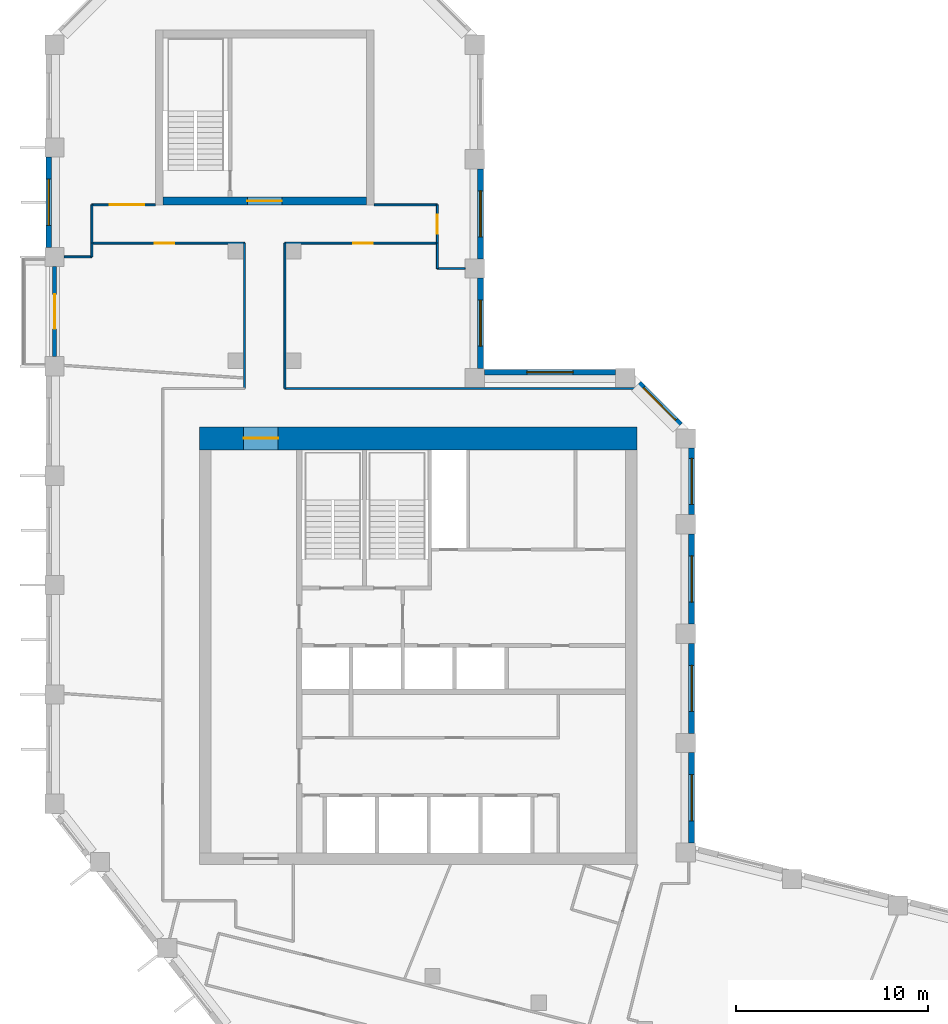
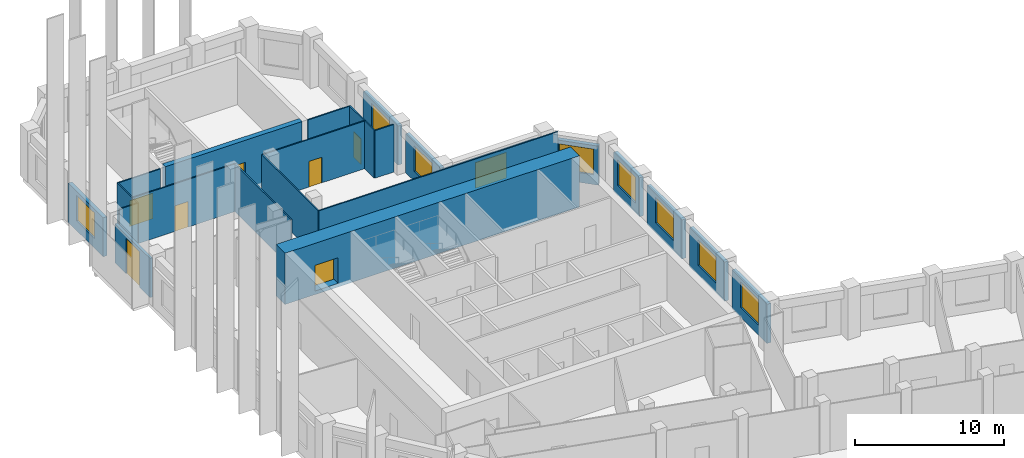
# One storey, part 6 of 9: 25 walls, 9 windows, 7 doors, 16 openings.
"""IFC4 building model written with IfcOpenShell, lengths in metres."""

from ifc_helpers import new_model, si_unit, direction, frame, frame_2d, origin, place, context, subcontext, project, spatial, rectangle, extrude, material, layer, layer_set, type_object, element, fill, save


model = new_model("IFC4")

# Units and contexts
model_context = context("Model", 3, precision=1e-05, world=origin(), true_north=direction((0.0, 1.0)))
body_context = subcontext(model_context, "Body", "Model", "MODEL_VIEW")
ifc_project = project(units=[si_unit("LENGTHUNIT", "METRE"), si_unit("AREAUNIT", "SQUARE_METRE"), si_unit("VOLUMEUNIT", "CUBIC_METRE"), si_unit("PLANEANGLEUNIT", "RADIAN"), si_unit("MASSUNIT", "GRAM", prefix="KILO")], contexts=[model_context])

# Site, building, storey
site_placement = place(None, origin())
site = spatial("IfcSite", under=ifc_project, at=site_placement, CompositionType="ELEMENT")
building_placement = place(site_placement, origin())
building = spatial("IfcBuilding", under=site, at=building_placement, Name="Meshkara Civic Tower", CompositionType="ELEMENT")
storey_placement = place(building_placement, frame((0.0, 0.0, 306.60009765625)))
storey = spatial("IfcBuildingStorey", under=building, at=storey_placement, Name="L70", CompositionType="ELEMENT", Elevation=306.60009765625)

# Wall, opening, door
ifc_material_1 = material(Name="Concrete C60", Category="concrete")
ifc_layer_1 = layer(ifc_material_1, 1.199951171875)
ifc_layer_set_1 = layer_set([ifc_layer_1], Name="Core ring wall 1200 C60")
wall_type_1 = type_object("IfcWallType", Name="Core ring wall 1200 C60", PredefinedType="SHEAR", material=ifc_layer_set_1)
wall_1_placement = place(storey_placement, frame((8.0, 36.300048828125, -0.300048828125), z_axis=(0.0, 0.0, 1.0), x_axis=(1.0, 0.0, 0.0)))
wall_1 = element("IfcWall", 1, at=wall_1_placement, inside=storey, type_object=wall_type_1, Name="L70-C002", PredefinedType="SHEAR", context=body_context, shape_type="SweptSolid", body=[
    extrude(rectangle(XDim=22.800048828125, YDim=1.199951171875, at=frame_2d((11.39990234375, 0.0))), origin(), (0.0, 0.0, 1.0), 4.199951171875),
])
opening_1_placement = place(wall_1_placement, frame((2.300048828125, 0.0, 0.300048828125)))
opening_1 = element("IfcOpeningElement", 2, at=opening_1_placement, cuts=wall_1, Name="Opening L70-K022", PredefinedType="OPENING", context=body_context, shape_type="SweptSolid", body=[
    extrude(rectangle(XDim=1.800048828125, YDim=2.10009765625, at=frame_2d((0.89990234375, 1.050048828125))), frame((0.0, 0.60986328125, 0.0), z_axis=(0.0, -1.0, 0.0), x_axis=(1.0, 0.0, 0.0)), (0.0, 0.0, 1.0), 1.219970703125),
])
ifc_material_2 = material(Name="Fire-rated door leaf in steel frame", Category="steel")
door_type_1 = type_object("IfcDoorType", Name="Core double door 1800 EI 60", OperationType="DOUBLE_DOOR_SINGLE_SWING", PredefinedType="DOOR", material=ifc_material_2)
door_1_placement = place(opening_1_placement, origin())
door_1 = element("IfcDoor", 3, at=door_1_placement, inside=storey, type_object=door_type_1, Name="L70-K022", OperationType="DOUBLE_DOOR_SINGLE_SWING", OverallHeight=2.10009765625, OverallWidth=1.800048828125, PredefinedType="DOOR", context=body_context, shape_type="SweptSolid", body=[
    extrude(rectangle(XDim=1.800048828125, YDim=2.10009765625, at=frame_2d((0.89990234375, 1.050048828125))), frame((0.0, 0.02490234375, 0.0), z_axis=(0.0, -1.0, 0.0), x_axis=(1.0, 0.0, 0.0)), (0.0, 0.0, 1.0), 0.050048828125),
])
fill(opening_1, door_1)

ifc_material_3 = material(Name="Corridor wall 100")
ifc_layer_2 = layer(ifc_material_3, 0.10009765625)
ifc_layer_set_2 = layer_set([ifc_layer_2], Name="Corridor wall 100")
wall_type_2 = type_object("IfcWallType", Name="Corridor wall 100", PredefinedType="PARTITIONING", material=ifc_layer_set_2)
wall_2_placement = place(storey_placement, frame((2.39990234375, 46.469970703125, 0.0), z_axis=(0.0, 0.0, 1.0), x_axis=(1.0, 0.0, 0.0)))
wall_2 = element("IfcWall", 4, at=wall_2_placement, inside=storey, type_object=wall_type_2, Name="L70-W001", PredefinedType="PARTITIONING", context=body_context, shape_type="SweptSolid", body=[
    extrude(rectangle(XDim=7.9501953125, YDim=0.10009765625, at=frame_2d((3.97509765625, 0.0))), origin(), (0.0, 0.0, 1.0), 3.89990234375),
])
opening_2_placement = place(wall_2_placement, frame((3.280029296875, 0.0, 0.0)))
opening_2 = element("IfcOpeningElement", 5, at=opening_2_placement, cuts=wall_2, Name="Opening L70-D014", PredefinedType="OPENING", context=body_context, shape_type="SweptSolid", body=[
    extrude(rectangle(XDim=1.0, YDim=2.10009765625, at=frame_2d((0.5, 1.050048828125))), frame((0.0, 0.06005859375, 0.0), z_axis=(0.0, -1.0, 0.0), x_axis=(1.0, 0.0, 0.0)), (0.0, 0.0, 1.0), 0.1201171875),
])
ifc_material_4 = material(Name="Door 1000 x 2100")
door_type_2 = type_object("IfcDoorType", Name="Door 1000 x 2100", OperationType="SINGLE_SWING_LEFT", PredefinedType="DOOR", material=ifc_material_4)
door_2_placement = place(opening_2_placement, origin())
door_2 = element("IfcDoor", 6, at=door_2_placement, inside=storey, type_object=door_type_2, Name="L70-D014", OperationType="SINGLE_SWING_RIGHT", OverallHeight=2.10009765625, OverallWidth=1.0, PredefinedType="DOOR", context=body_context, shape_type="SweptSolid", body=[
    extrude(rectangle(XDim=1.0, YDim=2.10009765625, at=frame_2d((0.5, 1.050048828125))), frame((0.0, 0.02490234375, 0.0), z_axis=(0.0, -1.0, 0.0), x_axis=(1.0, 0.0, 0.0)), (0.0, 0.0, 1.0), 0.050048828125),
])
fill(opening_2, door_2)

# Wall
wall_3_placement = place(storey_placement, frame((2.39990234375, 48.469970703125, 0.0), z_axis=(0.0, 0.0, 1.0), x_axis=(0.0, -1.0, 0.0)))
element("IfcWall", 7, at=wall_3_placement, inside=storey, type_object=wall_type_2, Name="L70-W002", PredefinedType="PARTITIONING", context=body_context, shape_type="SweptSolid", body=[
    extrude(rectangle(XDim=2.0, YDim=0.10009765625, at=frame_2d((1.0, 0.0))), origin(), (0.0, 0.0, 1.0), 3.89990234375),
])

# Wall, opening, door
wall_4_placement = place(storey_placement, frame((5.699951171875, 48.469970703125, 0.0), z_axis=(0.0, 0.0, 1.0), x_axis=(-1.0, 0.0, 0.0)))
wall_4 = element("IfcWall", 8, at=wall_4_placement, inside=storey, type_object=wall_type_2, Name="L70-W003", PredefinedType="PARTITIONING", context=body_context, shape_type="SweptSolid", body=[
    extrude(rectangle(XDim=3.300048828125, YDim=0.10009765625, at=frame_2d((1.64990234375, 0.0))), origin(), (0.0, 0.0, 1.0), 3.89990234375),
])
opening_3_placement = place(wall_4_placement, frame((0.580078125, 0.0, 0.0)))
opening_3 = element("IfcOpeningElement", 9, at=opening_3_placement, cuts=wall_4, Name="Opening L70-D017", PredefinedType="OPENING", context=body_context, shape_type="SweptSolid", body=[
    extrude(rectangle(XDim=1.800048828125, YDim=2.10009765625, at=frame_2d((0.89990234375, 1.050048828125))), frame((0.0, 0.06005859375, 0.0), z_axis=(0.0, -1.0, 0.0), x_axis=(1.0, 0.0, 0.0)), (0.0, 0.0, 1.0), 0.1201171875),
])
ifc_material_5 = material(Name="Door pair 1800 x 2100")
door_type_3 = type_object("IfcDoorType", Name="Door pair 1800 x 2100", OperationType="SINGLE_SWING_LEFT", PredefinedType="DOOR", material=ifc_material_5)
door_3_placement = place(opening_3_placement, origin())
door_3 = element("IfcDoor", 10, at=door_3_placement, inside=storey, type_object=door_type_3, Name="L70-D017", OperationType="DOUBLE_DOOR_SINGLE_SWING", OverallHeight=2.10009765625, OverallWidth=1.800048828125, PredefinedType="DOOR", context=body_context, shape_type="SweptSolid", body=[
    extrude(rectangle(XDim=1.800048828125, YDim=2.10009765625, at=frame_2d((0.89990234375, 1.050048828125))), frame((0.0, 0.02490234375, 0.0), z_axis=(0.0, -1.0, 0.0), x_axis=(1.0, 0.0, 0.0)), (0.0, 0.0, 1.0), 0.050048828125),
])
fill(opening_3, door_3)

# Walls
for number, where, z_axis, x_axis, name in (
    (11, (10.35009765625, 46.469970703125, 0.0), (0.0, 0.0, 1.0), (0.0, -1.0, 0.0), "L70-W012"),
    (12, (12.449951171875, 38.89990234375, 0.0), (0.0, 0.0, 1.0), (0.0, 1.0, 0.0), "L70-W013"),
):
    element("IfcWall", number, at=place(storey_placement, frame(where, z_axis=z_axis, x_axis=x_axis)), inside=storey, type_object=wall_type_2, Name=name, PredefinedType="PARTITIONING", context=body_context, shape_type="SweptSolid", body=[
        extrude(rectangle(XDim=7.570068359375, YDim=0.10009765625, at=frame_2d((3.78515625, 0.0))), origin(), (0.0, 0.0, 1.0), 3.89990234375),
    ])

# Wall, opening, door
wall_5_placement = place(storey_placement, frame((12.449951171875, 46.469970703125, 0.0), z_axis=(0.0, 0.0, 1.0), x_axis=(1.0, 0.0, 0.0)))
wall_5 = element("IfcWall", 13, at=wall_5_placement, inside=storey, type_object=wall_type_2, Name="L70-W014", PredefinedType="PARTITIONING", context=body_context, shape_type="SweptSolid", body=[
    extrude(rectangle(XDim=7.949951171875, YDim=0.10009765625, at=frame_2d((3.97509765625, 0.0))), origin(), (0.0, 0.0, 1.0), 3.89990234375),
])
opening_4_placement = place(wall_5_placement, frame((3.580078125, 0.0, 0.0)))
opening_4 = element("IfcOpeningElement", 14, at=opening_4_placement, cuts=wall_5, Name="Opening L70-D015", PredefinedType="OPENING", context=body_context, shape_type="SweptSolid", body=[
    extrude(rectangle(XDim=1.0, YDim=2.10009765625, at=frame_2d((0.5, 1.050048828125))), frame((0.0, 0.06005859375, 0.0), z_axis=(0.0, -1.0, 0.0), x_axis=(1.0, 0.0, 0.0)), (0.0, 0.0, 1.0), 0.1201171875),
])
door_4_placement = place(opening_4_placement, origin())
door_4 = element("IfcDoor", 15, at=door_4_placement, inside=storey, type_object=door_type_2, Name="L70-D015", OperationType="SINGLE_SWING_LEFT", OverallHeight=2.10009765625, OverallWidth=1.0, PredefinedType="DOOR", context=body_context, shape_type="SweptSolid", body=[
    extrude(rectangle(XDim=1.0, YDim=2.10009765625, at=frame_2d((0.5, 1.050048828125))), frame((0.0, 0.02490234375, 0.0), z_axis=(0.0, -1.0, 0.0), x_axis=(1.0, 0.0, 0.0)), (0.0, 0.0, 1.0), 0.050048828125),
])
fill(opening_4, door_4)

wall_6_placement = place(storey_placement, frame((20.39990234375, 46.469970703125, 0.0), z_axis=(0.0, 0.0, 1.0), x_axis=(0.0, 1.0, 0.0)))
wall_6 = element("IfcWall", 16, at=wall_6_placement, inside=storey, type_object=wall_type_2, Name="L70-W017", PredefinedType="PARTITIONING", context=body_context, shape_type="SweptSolid", body=[
    extrude(rectangle(XDim=2.0, YDim=0.10009765625, at=frame_2d((1.0, 0.0))), origin(), (0.0, 0.0, 1.0), 3.89990234375),
])
opening_5_placement = place(wall_6_placement, frame((0.47998046875, 0.0, 0.0)))
opening_5 = element("IfcOpeningElement", 17, at=opening_5_placement, cuts=wall_6, Name="Opening L70-D016", PredefinedType="OPENING", context=body_context, shape_type="SweptSolid", body=[
    extrude(rectangle(XDim=1.0, YDim=2.10009765625, at=frame_2d((0.5, 1.050048828125))), frame((0.0, 0.06005859375, 0.0), z_axis=(0.0, -1.0, 0.0), x_axis=(1.0, 0.0, 0.0)), (0.0, 0.0, 1.0), 0.1201171875),
])
door_5_placement = place(opening_5_placement, origin())
door_5 = element("IfcDoor", 18, at=door_5_placement, inside=storey, type_object=door_type_2, Name="L70-D016", OperationType="SINGLE_SWING_RIGHT", OverallHeight=2.10009765625, OverallWidth=1.0, PredefinedType="DOOR", context=body_context, shape_type="SweptSolid", body=[
    extrude(rectangle(XDim=1.0, YDim=2.10009765625, at=frame_2d((0.5, 1.050048828125))), frame((0.0, 0.02490234375, 0.0), z_axis=(0.0, -1.0, 0.0), x_axis=(1.0, 0.0, 0.0)), (0.0, 0.0, 1.0), 0.050048828125),
])
fill(opening_5, door_5)

# Walls
wall_7_placement = place(storey_placement, frame((20.39990234375, 48.469970703125, 0.0), z_axis=(0.0, 0.0, 1.0), x_axis=(-1.0, 0.0, 0.0)))
element("IfcWall", 19, at=wall_7_placement, inside=storey, type_object=wall_type_2, Name="L70-W018", PredefinedType="PARTITIONING", context=body_context, shape_type="SweptSolid", body=[
    extrude(rectangle(XDim=3.2998046875, YDim=0.10009765625, at=frame_2d((1.64990234375, 0.0))), origin(), (0.0, 0.0, 1.0), 3.89990234375),
])
wall_8_placement = place(storey_placement, frame((30.9560546875, 38.89990234375, 0.0), z_axis=(0.0, 0.0, 1.0), x_axis=(-1.0, 0.0, 0.0)))
element("IfcWall", 20, at=wall_8_placement, inside=storey, type_object=wall_type_2, Name="L70-W024", PredefinedType="PARTITIONING", context=body_context, shape_type="SweptSolid", body=[
    extrude(rectangle(XDim=18.506103515625, YDim=0.10009765625, at=frame_2d((9.2529296875, 0.0))), origin(), (0.0, 0.0, 1.0), 3.89990234375),
])

# Wall, opening, window
ifc_material_6 = material(Name="Insulated infill panel with bronze anodised aluminium cladding", Category="aluminium")
ifc_layer_3 = layer(ifc_material_6, 0.300048828125)
ifc_layer_set_3 = layer_set([ifc_layer_3], Name="EXTERNAL INFILL WALL 300")
wall_type_3 = type_object("IfcWallType", Name="EXTERNAL INFILL WALL 300", PredefinedType="SOLIDWALL", material=ifc_layer_set_3)
wall_9_placement = place(storey_placement, frame((33.64990234375, 15.218994140625, 0.0), z_axis=(0.0, 0.0, 1.0), x_axis=(0.0, 1.0, 0.0)))
wall_9 = element("IfcWall", 21, at=wall_9_placement, inside=storey, type_object=wall_type_3, Name="External wall", PredefinedType="SOLIDWALL", context=body_context, shape_type="SweptSolid", body=[
    extrude(rectangle(XDim=4.699951171875, YDim=0.300048828125, at=frame_2d((2.35009765625, 0.0))), origin(), (0.0, 0.0, 1.0), 3.199951171875),
])
opening_6_placement = place(wall_9_placement, frame((1.14990234375, 0.0, 0.800048828125)))
opening_6 = element("IfcOpeningElement", 22, at=opening_6_placement, cuts=wall_9, Name="Opening W7", PredefinedType="OPENING", context=body_context, shape_type="SweptSolid", body=[
    extrude(rectangle(XDim=2.39990234375, YDim=2.10009765625, at=frame_2d((1.199951171875, 1.050048828125))), frame((0.0, 0.159912109375, 0.0), z_axis=(0.0, -1.0, 0.0), x_axis=(1.0, 0.0, 0.0)), (0.0, 0.0, 1.0), 0.320068359375),
])
ifc_material_7 = material(Name="Tinted double glazing", Category="glass")
window_type = type_object("IfcWindowType", Name="WINDOW 2400x2100", PartitioningType="DOUBLE_PANEL_VERTICAL", PredefinedType="WINDOW", material=ifc_material_7)
window_1_placement = place(opening_6_placement, origin())
window_1 = element("IfcWindow", 23, at=window_1_placement, inside=storey, type_object=window_type, Name="Window", OverallHeight=2.10009765625, OverallWidth=2.39990234375, PartitioningType="DOUBLE_PANEL_VERTICAL", PredefinedType="WINDOW", context=body_context, shape_type="SweptSolid", body=[
    extrude(rectangle(XDim=2.39990234375, YDim=2.10009765625, at=frame_2d((1.199951171875, 1.050048828125))), frame((0.0, 0.030029296875, 0.0), z_axis=(0.0, -1.0, 0.0), x_axis=(1.0, 0.0, 0.0)), (0.0, 0.0, 1.0), 0.06005859375),
])
fill(opening_6, window_1)

wall_10_placement = place(storey_placement, frame((33.64990234375, 20.9189453125, 0.0), z_axis=(0.0, 0.0, 1.0), x_axis=(0.0, 1.0, 0.0)))
wall_10 = element("IfcWall", 24, at=wall_10_placement, inside=storey, type_object=wall_type_3, Name="External wall", PredefinedType="SOLIDWALL", context=body_context, shape_type="SweptSolid", body=[
    extrude(rectangle(XDim=4.699951171875, YDim=0.300048828125, at=frame_2d((2.35009765625, 0.0))), origin(), (0.0, 0.0, 1.0), 3.199951171875),
])
opening_7_placement = place(wall_10_placement, frame((1.14990234375, 0.0, 0.800048828125)))
opening_7 = element("IfcOpeningElement", 25, at=opening_7_placement, cuts=wall_10, Name="Opening W7", PredefinedType="OPENING", context=body_context, shape_type="SweptSolid", body=[
    extrude(rectangle(XDim=2.39990234375, YDim=2.10009765625, at=frame_2d((1.199951171875, 1.050048828125))), frame((0.0, 0.159912109375, 0.0), z_axis=(0.0, -1.0, 0.0), x_axis=(1.0, 0.0, 0.0)), (0.0, 0.0, 1.0), 0.320068359375),
])
window_2_placement = place(opening_7_placement, origin())
window_2 = element("IfcWindow", 26, at=window_2_placement, inside=storey, type_object=window_type, Name="Window", OverallHeight=2.10009765625, OverallWidth=2.39990234375, PartitioningType="DOUBLE_PANEL_VERTICAL", PredefinedType="WINDOW", context=body_context, shape_type="SweptSolid", body=[
    extrude(rectangle(XDim=2.39990234375, YDim=2.10009765625, at=frame_2d((1.199951171875, 1.050048828125))), frame((0.0, 0.030029296875, 0.0), z_axis=(0.0, -1.0, 0.0), x_axis=(1.0, 0.0, 0.0)), (0.0, 0.0, 1.0), 0.06005859375),
])
fill(opening_7, window_2)

wall_11_placement = place(storey_placement, frame((33.64990234375, 26.618896484375, 0.0), z_axis=(0.0, 0.0, 1.0), x_axis=(0.0, 1.0, 0.0)))
wall_11 = element("IfcWall", 27, at=wall_11_placement, inside=storey, type_object=wall_type_3, Name="External wall", PredefinedType="SOLIDWALL", context=body_context, shape_type="SweptSolid", body=[
    extrude(rectangle(XDim=4.7001953125, YDim=0.300048828125, at=frame_2d((2.35009765625, 0.0))), origin(), (0.0, 0.0, 1.0), 3.199951171875),
])
opening_8_placement = place(wall_11_placement, frame((1.14990234375, 0.0, 0.800048828125)))
opening_8 = element("IfcOpeningElement", 28, at=opening_8_placement, cuts=wall_11, Name="Opening W7", PredefinedType="OPENING", context=body_context, shape_type="SweptSolid", body=[
    extrude(rectangle(XDim=2.39990234375, YDim=2.10009765625, at=frame_2d((1.199951171875, 1.050048828125))), frame((0.0, 0.159912109375, 0.0), z_axis=(0.0, -1.0, 0.0), x_axis=(1.0, 0.0, 0.0)), (0.0, 0.0, 1.0), 0.320068359375),
])
window_3_placement = place(opening_8_placement, origin())
window_3 = element("IfcWindow", 29, at=window_3_placement, inside=storey, type_object=window_type, Name="Window", OverallHeight=2.10009765625, OverallWidth=2.39990234375, PartitioningType="DOUBLE_PANEL_VERTICAL", PredefinedType="WINDOW", context=body_context, shape_type="SweptSolid", body=[
    extrude(rectangle(XDim=2.39990234375, YDim=2.10009765625, at=frame_2d((1.199951171875, 1.050048828125))), frame((0.0, 0.030029296875, 0.0), z_axis=(0.0, -1.0, 0.0), x_axis=(1.0, 0.0, 0.0)), (0.0, 0.0, 1.0), 0.06005859375),
])
fill(opening_8, window_3)

wall_12_placement = place(storey_placement, frame((33.64990234375, 32.319091796875, 0.0), z_axis=(0.0, 0.0, 1.0), x_axis=(0.0, 1.0, 0.0)))
wall_12 = element("IfcWall", 30, at=wall_12_placement, inside=storey, type_object=wall_type_3, Name="External wall", PredefinedType="SOLIDWALL", context=body_context, shape_type="SweptSolid", body=[
    extrude(rectangle(XDim=3.474853515625, YDim=0.300048828125, at=frame_2d((1.7373046875, 0.0))), origin(), (0.0, 0.0, 1.0), 3.199951171875),
])
opening_9_placement = place(wall_12_placement, frame((0.5380859375, 0.0, 0.800048828125)))
opening_9 = element("IfcOpeningElement", 31, at=opening_9_placement, cuts=wall_12, Name="Opening W7", PredefinedType="OPENING", context=body_context, shape_type="SweptSolid", body=[
    extrude(rectangle(XDim=2.39990234375, YDim=2.10009765625, at=frame_2d((1.199951171875, 1.050048828125))), frame((0.0, 0.159912109375, 0.0), z_axis=(0.0, -1.0, 0.0), x_axis=(1.0, 0.0, 0.0)), (0.0, 0.0, 1.0), 0.320068359375),
])
window_4_placement = place(opening_9_placement, origin())
window_4 = element("IfcWindow", 32, at=window_4_placement, inside=storey, type_object=window_type, Name="Window", OverallHeight=2.10009765625, OverallWidth=2.39990234375, PartitioningType="DOUBLE_PANEL_VERTICAL", PredefinedType="WINDOW", context=body_context, shape_type="SweptSolid", body=[
    extrude(rectangle(XDim=2.39990234375, YDim=2.10009765625, at=frame_2d((1.199951171875, 1.050048828125))), frame((0.0, 0.030029296875, 0.0), z_axis=(0.0, -1.0, 0.0), x_axis=(1.0, 0.0, 0.0)), (0.0, 0.0, 1.0), 0.06005859375),
])
fill(opening_9, window_4)

wall_13_placement = place(storey_placement, frame((33.06201171875, 37.006103515625, 0.0), z_axis=(0.0, 0.0, 1.0), x_axis=(-0.707106781187, 0.707106781187, 0.0)))
wall_13 = element("IfcWall", 33, at=wall_13_placement, inside=storey, type_object=wall_type_3, Name="External wall", PredefinedType="SOLIDWALL", context=body_context, shape_type="SweptSolid", body=[
    extrude(rectangle(XDim=3.049072265625, YDim=0.300048828125, at=frame_2d((1.5244140625, 0.0))), origin(), (0.0, 0.0, 1.0), 3.199951171875),
])
opening_10_placement = place(wall_13_placement, frame((0.324951171875, 0.0, 0.800048828125)))
opening_10 = element("IfcOpeningElement", 34, at=opening_10_placement, cuts=wall_13, Name="Opening W7", PredefinedType="OPENING", context=body_context, shape_type="SweptSolid", body=[
    extrude(rectangle(XDim=2.39990234375, YDim=2.10009765625, at=frame_2d((1.199951171875, 1.050048828125))), frame((0.0, 0.159912109375, 0.0), z_axis=(0.0, -1.0, 0.0), x_axis=(1.0, 0.0, 0.0)), (0.0, 0.0, 1.0), 0.320068359375),
])
window_5_placement = place(opening_10_placement, origin())
window_5 = element("IfcWindow", 35, at=window_5_placement, inside=storey, type_object=window_type, Name="Window", OverallHeight=2.10009765625, OverallWidth=2.39990234375, PartitioningType="DOUBLE_PANEL_VERTICAL", PredefinedType="WINDOW", context=body_context, shape_type="SweptSolid", body=[
    extrude(rectangle(XDim=2.39990234375, YDim=2.10009765625, at=frame_2d((1.199951171875, 1.050048828125))), frame((0.0, 0.030029296875, 0.0), z_axis=(0.0, -1.0, 0.0), x_axis=(1.0, 0.0, 0.0)), (0.0, 0.0, 1.0), 0.06005859375),
])
fill(opening_10, window_5)

wall_14_placement = place(storey_placement, frame((29.694091796875, 39.75, 0.0), z_axis=(0.0, 0.0, 1.0), x_axis=(-1.0, 0.0, 0.0)))
wall_14 = element("IfcWall", 36, at=wall_14_placement, inside=storey, type_object=wall_type_3, Name="External wall", PredefinedType="SOLIDWALL", context=body_context, shape_type="SweptSolid", body=[
    extrude(rectangle(XDim=6.843994140625, YDim=0.300048828125, at=frame_2d((3.421875, 0.0))), origin(), (0.0, 0.0, 1.0), 3.199951171875),
])
opening_11_placement = place(wall_14_placement, frame((2.221923828125, 0.0, 0.800048828125)))
opening_11 = element("IfcOpeningElement", 37, at=opening_11_placement, cuts=wall_14, Name="Opening W7", PredefinedType="OPENING", context=body_context, shape_type="SweptSolid", body=[
    extrude(rectangle(XDim=2.39990234375, YDim=2.10009765625, at=frame_2d((1.199951171875, 1.050048828125))), frame((0.0, 0.159912109375, 0.0), z_axis=(0.0, -1.0, 0.0), x_axis=(1.0, 0.0, 0.0)), (0.0, 0.0, 1.0), 0.320068359375),
])
window_6_placement = place(opening_11_placement, origin())
window_6 = element("IfcWindow", 38, at=window_6_placement, inside=storey, type_object=window_type, Name="Window", OverallHeight=2.10009765625, OverallWidth=2.39990234375, PartitioningType="DOUBLE_PANEL_VERTICAL", PredefinedType="WINDOW", context=body_context, shape_type="SweptSolid", body=[
    extrude(rectangle(XDim=2.39990234375, YDim=2.10009765625, at=frame_2d((1.199951171875, 1.050048828125))), frame((0.0, 0.030029296875, 0.0), z_axis=(0.0, -1.0, 0.0), x_axis=(1.0, 0.0, 0.0)), (0.0, 0.0, 1.0), 0.06005859375),
])
fill(opening_11, window_6)

wall_15_placement = place(storey_placement, frame((22.64990234375, 39.949951171875, 0.0), z_axis=(0.0, 0.0, 1.0), x_axis=(0.0, 1.0, 0.0)))
wall_15 = element("IfcWall", 39, at=wall_15_placement, inside=storey, type_object=wall_type_3, Name="External wall", PredefinedType="SOLIDWALL", context=body_context, shape_type="SweptSolid", body=[
    extrude(rectangle(XDim=4.699951171875, YDim=0.300048828125, at=frame_2d((2.35009765625, 0.0))), origin(), (0.0, 0.0, 1.0), 3.199951171875),
])
opening_12_placement = place(wall_15_placement, frame((1.14990234375, 0.0, 0.800048828125)))
opening_12 = element("IfcOpeningElement", 40, at=opening_12_placement, cuts=wall_15, Name="Opening W7", PredefinedType="OPENING", context=body_context, shape_type="SweptSolid", body=[
    extrude(rectangle(XDim=2.39990234375, YDim=2.10009765625, at=frame_2d((1.199951171875, 1.050048828125))), frame((0.0, 0.159912109375, 0.0), z_axis=(0.0, -1.0, 0.0), x_axis=(1.0, 0.0, 0.0)), (0.0, 0.0, 1.0), 0.320068359375),
])
window_7_placement = place(opening_12_placement, origin())
window_7 = element("IfcWindow", 41, at=window_7_placement, inside=storey, type_object=window_type, Name="Window", OverallHeight=2.10009765625, OverallWidth=2.39990234375, PartitioningType="DOUBLE_PANEL_VERTICAL", PredefinedType="WINDOW", context=body_context, shape_type="SweptSolid", body=[
    extrude(rectangle(XDim=2.39990234375, YDim=2.10009765625, at=frame_2d((1.199951171875, 1.050048828125))), frame((0.0, 0.030029296875, 0.0), z_axis=(0.0, -1.0, 0.0), x_axis=(1.0, 0.0, 0.0)), (0.0, 0.0, 1.0), 0.06005859375),
])
fill(opening_12, window_7)

wall_16_placement = place(storey_placement, frame((22.64990234375, 45.64990234375, 0.0), z_axis=(0.0, 0.0, 1.0), x_axis=(0.0, 1.0, 0.0)))
wall_16 = element("IfcWall", 42, at=wall_16_placement, inside=storey, type_object=wall_type_3, Name="External wall", PredefinedType="SOLIDWALL", context=body_context, shape_type="SweptSolid", body=[
    extrude(rectangle(XDim=4.7001953125, YDim=0.300048828125, at=frame_2d((2.35009765625, 0.0))), origin(), (0.0, 0.0, 1.0), 3.199951171875),
])
opening_13_placement = place(wall_16_placement, frame((1.14990234375, 0.0, 0.800048828125)))
opening_13 = element("IfcOpeningElement", 43, at=opening_13_placement, cuts=wall_16, Name="Opening W7", PredefinedType="OPENING", context=body_context, shape_type="SweptSolid", body=[
    extrude(rectangle(XDim=2.39990234375, YDim=2.10009765625, at=frame_2d((1.199951171875, 1.050048828125))), frame((0.0, 0.159912109375, 0.0), z_axis=(0.0, -1.0, 0.0), x_axis=(1.0, 0.0, 0.0)), (0.0, 0.0, 1.0), 0.320068359375),
])
window_8_placement = place(opening_13_placement, origin())
window_8 = element("IfcWindow", 44, at=window_8_placement, inside=storey, type_object=window_type, Name="Window", OverallHeight=2.10009765625, OverallWidth=2.39990234375, PartitioningType="DOUBLE_PANEL_VERTICAL", PredefinedType="WINDOW", context=body_context, shape_type="SweptSolid", body=[
    extrude(rectangle(XDim=2.39990234375, YDim=2.10009765625, at=frame_2d((1.199951171875, 1.050048828125))), frame((0.0, 0.030029296875, 0.0), z_axis=(0.0, -1.0, 0.0), x_axis=(1.0, 0.0, 0.0)), (0.0, 0.0, 1.0), 0.06005859375),
])
fill(opening_13, window_8)

wall_17_placement = place(storey_placement, frame((0.14990234375, 50.955078125, 0.0), z_axis=(0.0, 0.0, 1.0), x_axis=(0.0, -1.0, 0.0)))
wall_17 = element("IfcWall", 45, at=wall_17_placement, inside=storey, type_object=wall_type_3, Name="External wall", PredefinedType="SOLIDWALL", context=body_context, shape_type="SweptSolid", body=[
    extrude(rectangle(XDim=4.7001953125, YDim=0.300048828125, at=frame_2d((2.35009765625, 0.0))), origin(), (0.0, 0.0, 1.0), 3.199951171875),
])
opening_14_placement = place(wall_17_placement, frame((1.14990234375, 0.0, 0.800048828125)))
opening_14 = element("IfcOpeningElement", 46, at=opening_14_placement, cuts=wall_17, Name="Opening W7", PredefinedType="OPENING", context=body_context, shape_type="SweptSolid", body=[
    extrude(rectangle(XDim=2.39990234375, YDim=2.10009765625, at=frame_2d((1.199951171875, 1.050048828125))), frame((0.0, 0.159912109375, 0.0), z_axis=(0.0, -1.0, 0.0), x_axis=(1.0, 0.0, 0.0)), (0.0, 0.0, 1.0), 0.320068359375),
])
window_9_placement = place(opening_14_placement, origin())
window_9 = element("IfcWindow", 47, at=window_9_placement, inside=storey, type_object=window_type, Name="Window", OverallHeight=2.10009765625, OverallWidth=2.39990234375, PartitioningType="DOUBLE_PANEL_VERTICAL", PredefinedType="WINDOW", context=body_context, shape_type="SweptSolid", body=[
    extrude(rectangle(XDim=2.39990234375, YDim=2.10009765625, at=frame_2d((1.199951171875, 1.050048828125))), frame((0.0, 0.030029296875, 0.0), z_axis=(0.0, -1.0, 0.0), x_axis=(1.0, 0.0, 0.0)), (0.0, 0.0, 1.0), 0.06005859375),
])
fill(opening_14, window_9)

# Wall, opening, door
ifc_material_8 = material(Name="Concrete C60", Category="concrete")
ifc_layer_4 = layer(ifc_material_8, 0.39990234375)
ifc_layer_set_4 = layer_set([ifc_layer_4], Name="End core ring wall 400 C60")
wall_type_4 = type_object("IfcWallType", Name="End core ring wall 400 C60", PredefinedType="SHEAR", material=ifc_layer_set_4)
wall_18_placement = place(storey_placement, frame((6.10009765625, 48.669921875, -0.300048828125), z_axis=(0.0, 0.0, 1.0), x_axis=(1.0, 0.0, 0.0)))
wall_18 = element("IfcWall", 48, at=wall_18_placement, inside=storey, type_object=wall_type_4, Name="L70-C029", PredefinedType="SHEAR", context=body_context, shape_type="SweptSolid", body=[
    extrude(rectangle(XDim=10.599853515625, YDim=0.39990234375, at=frame_2d((5.2998046875, 0.0))), origin(), (0.0, 0.0, 1.0), 4.199951171875),
])
opening_15_placement = place(wall_18_placement, frame((4.39990234375, 0.0, 0.300048828125)))
opening_15 = element("IfcOpeningElement", 49, at=opening_15_placement, cuts=wall_18, Name="Opening L70-K102", PredefinedType="OPENING", context=body_context, shape_type="SweptSolid", body=[
    extrude(rectangle(XDim=1.800048828125, YDim=2.10009765625, at=frame_2d((0.89990234375, 1.050048828125))), frame((0.0, 0.2099609375, 0.0), z_axis=(0.0, -1.0, 0.0), x_axis=(1.0, 0.0, 0.0)), (0.0, 0.0, 1.0), 0.419921875),
])
door_6_placement = place(opening_15_placement, origin())
door_6 = element("IfcDoor", 50, at=door_6_placement, inside=storey, type_object=door_type_1, Name="L70-K102", OperationType="DOUBLE_DOOR_SINGLE_SWING", OverallHeight=2.10009765625, OverallWidth=1.800048828125, PredefinedType="DOOR", context=body_context, shape_type="SweptSolid", body=[
    extrude(rectangle(XDim=1.800048828125, YDim=2.10009765625, at=frame_2d((0.89990234375, 1.050048828125))), frame((0.0, 0.02490234375, 0.0), z_axis=(0.0, -1.0, 0.0), x_axis=(1.0, 0.0, 0.0)), (0.0, 0.0, 1.0), 0.050048828125),
])
fill(opening_15, door_6)

ifc_material_9 = material(Name="Insulated infill panel with bronze anodised aluminium cladding", Category="aluminium")
ifc_layer_5 = layer(ifc_material_9, 0.199951171875)
ifc_layer_set_5 = layer_set([ifc_layer_5], Name="LOGGIA BACK WALL 200")
wall_type_5 = type_object("IfcWallType", Name="LOGGIA BACK WALL 200", PredefinedType="SOLIDWALL", material=ifc_layer_set_5)
wall_19_placement = place(storey_placement, frame((0.449951171875, 45.2548828125, 0.0), z_axis=(0.0, 0.0, 1.0), x_axis=(0.0, -1.0, 0.0)))
wall_19 = element("IfcWall", 51, at=wall_19_placement, inside=storey, type_object=wall_type_5, Name="Loggia wall", PredefinedType="SOLIDWALL", context=body_context, shape_type="SweptSolid", body=[
    extrude(rectangle(XDim=4.699951171875, YDim=0.199951171875, at=frame_2d((2.35009765625, 0.0))), origin(), (0.0, 0.0, 1.0), 3.199951171875),
])
opening_16_placement = place(wall_19_placement, frame((1.449951171875, 0.0, 0.0)))
opening_16 = element("IfcOpeningElement", 52, at=opening_16_placement, cuts=wall_19, Name="Opening L70-L001", PredefinedType="OPENING", context=body_context, shape_type="SweptSolid", body=[
    extrude(rectangle(XDim=1.800048828125, YDim=2.89990234375, at=frame_2d((0.89990234375, 1.449951171875))), frame((0.0, 0.10986328125, 0.0), z_axis=(0.0, -1.0, 0.0), x_axis=(1.0, 0.0, 0.0)), (0.0, 0.0, 1.0), 0.219970703125),
])
ifc_material_10 = material(Name="Tinted double glazing", Category="glass")
door_type_4 = type_object("IfcDoorType", Name="LOGGIA DOOR 1800x2900", OperationType="DOUBLE_DOOR_SINGLE_SWING", PredefinedType="DOOR", material=ifc_material_10)
door_7_placement = place(opening_16_placement, origin())
door_7 = element("IfcDoor", 53, at=door_7_placement, inside=storey, type_object=door_type_4, Name="L70-L001", OperationType="DOUBLE_DOOR_SINGLE_SWING", OverallHeight=2.89990234375, OverallWidth=1.800048828125, PredefinedType="DOOR", context=body_context, shape_type="SweptSolid", body=[
    extrude(rectangle(XDim=1.800048828125, YDim=2.89990234375, at=frame_2d((0.89990234375, 1.449951171875))), frame((0.0, 0.02490234375, 0.0), z_axis=(0.0, -1.0, 0.0), x_axis=(1.0, 0.0, 0.0)), (0.0, 0.0, 1.0), 0.050048828125),
])
fill(opening_16, door_7)

# Walls
ifc_material_11 = material(Name="Partition 100")
ifc_layer_6 = layer(ifc_material_11, 0.10009765625)
ifc_layer_set_6 = layer_set([ifc_layer_6], Name="Partition 100")
wall_type_6 = type_object("IfcWallType", Name="Partition 100", PredefinedType="PARTITIONING", material=ifc_layer_set_6)
wall_20_placement = place(storey_placement, frame((2.39990234375, 45.7548828125, 0.0), z_axis=(0.0, 0.0, 1.0), x_axis=(-1.0, 0.0, 0.0)))
element("IfcWall", 54, at=wall_20_placement, inside=storey, type_object=wall_type_6, Name="L70-W040", PredefinedType="PARTITIONING", context=body_context, shape_type="SweptSolid", body=[
    extrude(rectangle(XDim=1.449951171875, YDim=0.10009765625, at=frame_2d((0.72509765625, 0.0))), origin(), (0.0, 0.0, 1.0), 3.89990234375),
])
wall_21_placement = place(storey_placement, frame((2.39990234375, 46.47412109375, 0.0), z_axis=(0.0, 0.0, 1.0), x_axis=(0.0, -1.0, 0.0)))
element("IfcWall", 55, at=wall_21_placement, inside=storey, type_object=wall_type_6, Name="L70-W041", PredefinedType="PARTITIONING", context=body_context, shape_type="SweptSolid", body=[
    extrude(rectangle(XDim=0.71923828125, YDim=0.10009765625, at=frame_2d((0.359619140625, 0.0))), origin(), (0.0, 0.0, 1.0), 3.89990234375),
])
wall_22_placement = place(storey_placement, frame((20.39990234375, 45.14990234375, 0.0), z_axis=(0.0, 0.0, 1.0), x_axis=(0.0, 1.0, 0.0)))
element("IfcWall", 56, at=wall_22_placement, inside=storey, type_object=wall_type_6, Name="L70-W047", PredefinedType="PARTITIONING", context=body_context, shape_type="SweptSolid", body=[
    extrude(rectangle(XDim=1.32421875, YDim=0.10009765625, at=frame_2d((0.662109375, 0.0))), origin(), (0.0, 0.0, 1.0), 3.89990234375),
])
wall_23_placement = place(storey_placement, frame((21.85009765625, 45.14990234375, 0.0), z_axis=(0.0, 0.0, 1.0), x_axis=(-1.0, 0.0, 0.0)))
element("IfcWall", 57, at=wall_23_placement, inside=storey, type_object=wall_type_6, Name="L70-W048", PredefinedType="PARTITIONING", context=body_context, shape_type="SweptSolid", body=[
    extrude(rectangle(XDim=1.4501953125, YDim=0.10009765625, at=frame_2d((0.72509765625, 0.0))), origin(), (0.0, 0.0, 1.0), 3.89990234375),
])

save(model, "model.ifc")
